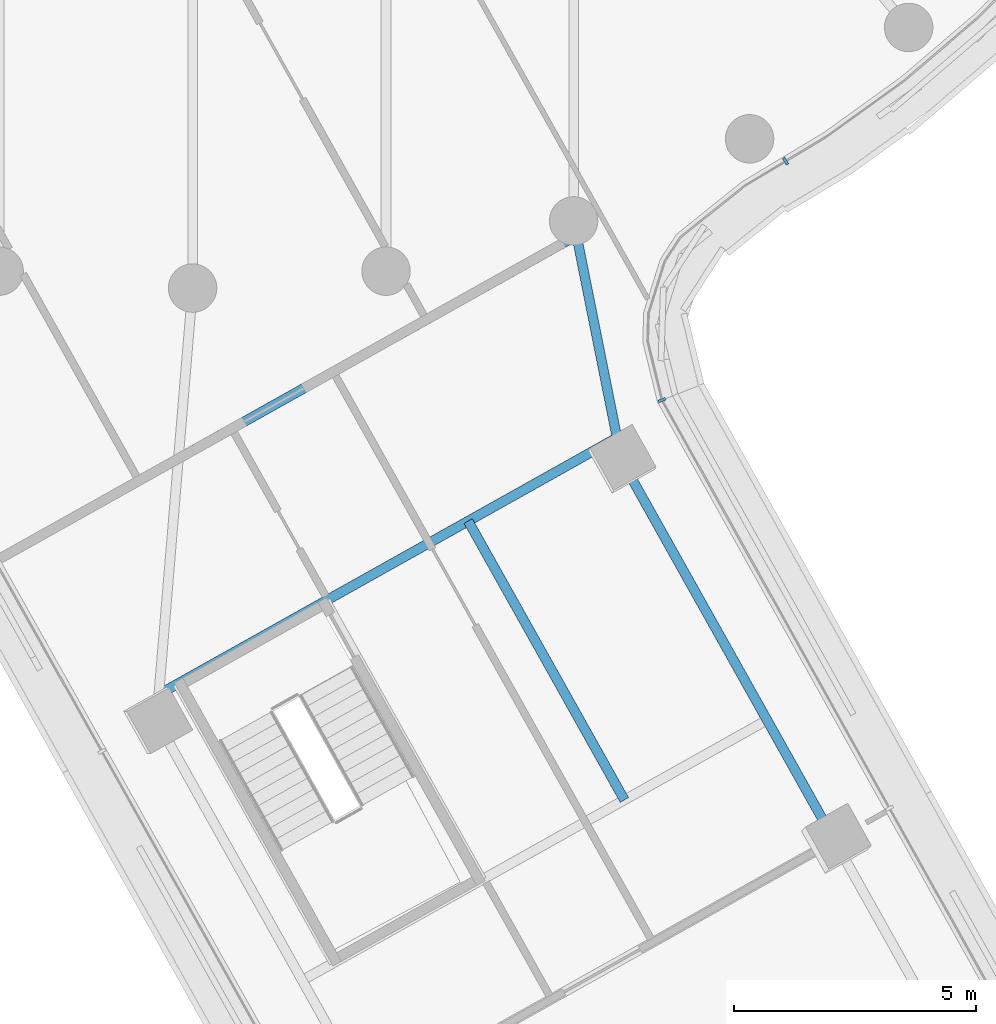
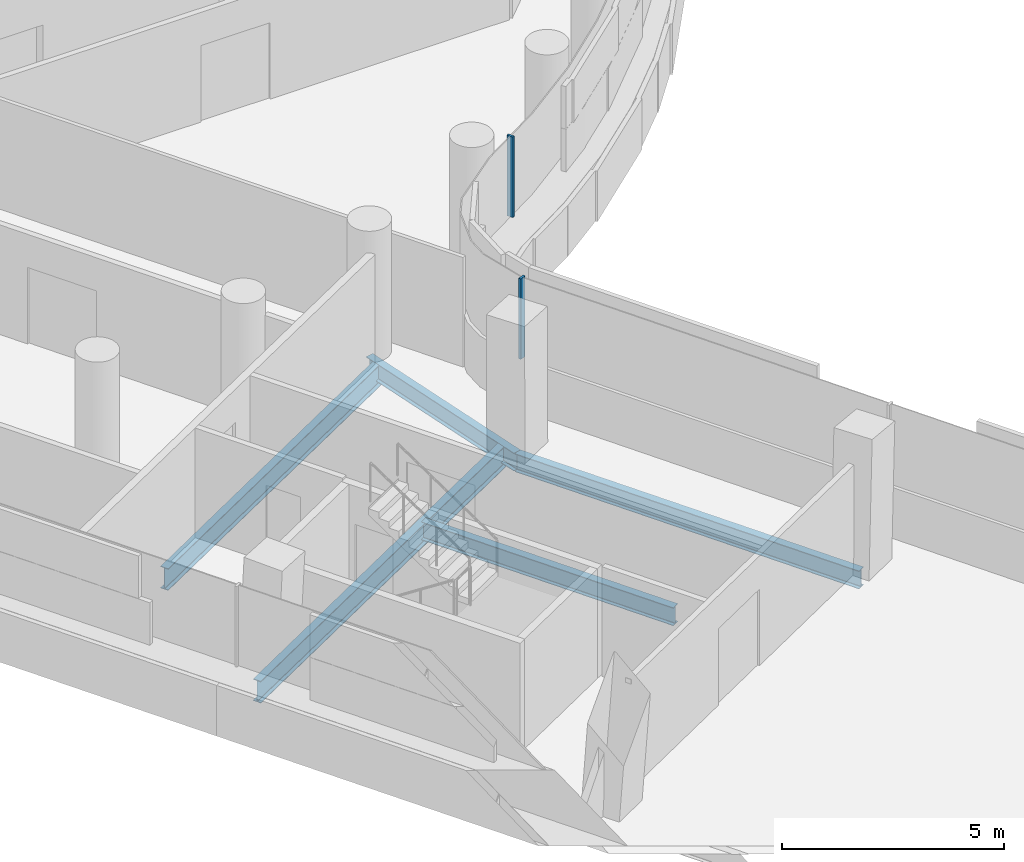
# One storey, part 6 of 34: 5 beams, 2 members, 1 element without a shape of its own.
"""IFC4 building model written with IfcOpenShell, lengths in metres."""

from ifc_helpers import new_model, si_unit, direction, frame, origin, origin_2d, place, context, subcontext, project, spatial, rectangle, i_section, extrude, material, layer, layer_set, material_profile, profile_set, type_object, element, aggregate, save


model = new_model("IFC4")

# Units and contexts
model_context = context("Model", 3, precision=1e-05, world=origin(), true_north=direction((0.0, 1.0)))
body_context = subcontext(model_context, "Body", "Model", "MODEL_VIEW")
ifc_project = project(units=[si_unit("LENGTHUNIT", "METRE"), si_unit("AREAUNIT", "SQUARE_METRE"), si_unit("VOLUMEUNIT", "CUBIC_METRE"), si_unit("PLANEANGLEUNIT", "RADIAN"), si_unit("MASSUNIT", "GRAM", prefix="KILO")], contexts=[model_context])

# Site, building, storey
site_placement = place(None, origin())
site = spatial("IfcSite", under=ifc_project, at=site_placement, CompositionType="ELEMENT")
building_placement = place(site_placement, origin())
building = spatial("IfcBuilding", under=site, at=building_placement, Name="Tamarind Cross Interchange Tower", CompositionType="ELEMENT")
storey_placement = place(building_placement, frame((0.0, 0.0, 140.5)))
storey = spatial("IfcBuildingStorey", under=building, at=storey_placement, Name="L34", CompositionType="ELEMENT", Elevation=140.5)

# Beams
ifc_material_1 = material(Name="Steel Q355B", Category="steel")
ifc_material_profile_1 = material_profile(ifc_material_1, i_section(OverallWidth=0.198974609375, OverallDepth=0.49609375, WebThickness=0.009033203125, FlangeThickness=0.013916015625, FilletRadius=0.012939453125, at=origin_2d()), Name="HN 496x199x9x14")
ifc_profile_set_1 = profile_set([ifc_material_profile_1], Name="Steel Q355B")
beam_type_1 = type_object("IfcBeamType", Name="Composite beam HN 496x199x9x14 Q355B", PredefinedType="BEAM", material=ifc_profile_set_1)
beam_1_placement = place(storey_placement, frame((13.2529296875, -34.40576171875, -0.387939453125), z_axis=(-0.488691751996, 0.872456515553, 0.0), x_axis=(-0.872456515553, -0.488691751996, 0.0)))
element("IfcBeam", 1, at=beam_1_placement, inside=storey, type_object=beam_type_1, Name="Beam S-edgeep3", PredefinedType="BEAM", context=body_context, shape_type="SweptSolid", body=[
    extrude(i_section(OverallWidth=0.198974609375, OverallDepth=0.49609375, WebThickness=0.009033203125, FlangeThickness=0.013916015625, FilletRadius=0.012939453125, at=origin_2d()), origin(), (0.0, 0.0, 1.0), 9.0),
])
beam_2_placement = place(storey_placement, frame((8.854736328125, -26.5537109375, -0.387939453125), z_axis=(-0.196144089617, 0.980575084381, 0.0), x_axis=(-0.980575084381, -0.196144089617, 0.0)))
element("IfcBeam", 2, at=beam_2_placement, inside=storey, type_object=beam_type_1, Name="Beam S-linkep", PredefinedType="BEAM", context=body_context, shape_type="SweptSolid", body=[
    extrude(i_section(OverallWidth=0.198974609375, OverallDepth=0.49609375, WebThickness=0.009033203125, FlangeThickness=0.013916015625, FilletRadius=0.012939453125, at=origin_2d()), origin(), (0.0, 0.0, 1.0), 5.03857421875),
])
beam_3_placement = place(storey_placement, frame((5.690185546875, -27.810302734375, -0.387939453125), z_axis=(0.488683340552, -0.872461227028, 0.0), x_axis=(0.872461227028, 0.488683340552, 0.0)))
element("IfcBeam", 3, at=beam_3_placement, inside=storey, type_object=beam_type_1, Name="Beam S-stripp", PredefinedType="BEAM", context=body_context, shape_type="SweptSolid", body=[
    extrude(i_section(OverallWidth=0.198974609375, OverallDepth=0.49609375, WebThickness=0.009033203125, FlangeThickness=0.013916015625, FilletRadius=0.012939453125, at=origin_2d()), origin(), (0.0, 0.0, 1.0), 6.60009765625),
])
ifc_material_profile_2 = material_profile(ifc_material_1, i_section(OverallWidth=0.199951171875, OverallDepth=0.60009765625, WebThickness=0.010986328125, FlangeThickness=0.01708984375, FilletRadius=0.012939453125, at=origin_2d()), Name="HN 600x200x11x17")
ifc_profile_set_2 = profile_set([ifc_material_profile_2], Name="Steel Q355B")
beam_type_2 = type_object("IfcBeamType", Name="Composite beam HN 600x200x11x17 Q355B", PredefinedType="BEAM", material=ifc_profile_set_2)
beam_4_placement = place(storey_placement, frame((-0.697509765625, -31.38818359375, -0.43994140625), z_axis=(0.87246531127, 0.488676048758, 0.0), x_axis=(-0.488676048758, 0.87246531127, 0.0)))
element("IfcBeam", 4, at=beam_4_placement, inside=storey, type_object=beam_type_2, Name="Beam S-x298", PredefinedType="BEAM", context=body_context, shape_type="SweptSolid", body=[
    extrude(i_section(OverallWidth=0.199951171875, OverallDepth=0.60009765625, WebThickness=0.010986328125, FlangeThickness=0.01708984375, FilletRadius=0.012939453125, at=origin_2d()), origin(), (0.0, 0.0, 1.0), 10.84228515625),
])
beam_5_placement = place(storey_placement, frame((-0.292724609375, -26.51953125, -0.43994140625), z_axis=(0.872451658737, 0.48870042272, 0.0), x_axis=(-0.48870042272, 0.872451658737, 0.0)))
element("IfcBeam", 5, at=beam_5_placement, inside=storey, type_object=beam_type_2, Name="Beam S-x258", PredefinedType="BEAM", context=body_context, shape_type="SweptSolid", body=[
    extrude(i_section(OverallWidth=0.199951171875, OverallDepth=0.60009765625, WebThickness=0.010986328125, FlangeThickness=0.01708984375, FilletRadius=0.012939453125, at=origin_2d()), origin(), (0.0, 0.0, 1.0), 9.42138671875),
])

# Curtain wall, members
ifc_material_2 = material(Name="Aluminium 6063-T6", Category="aluminium")
ifc_layer = layer(ifc_material_2, 0.159912109375)
ifc_layer_set = layer_set([ifc_layer], Name="Aluminium 6063-T6")
curtain_wall_type = type_object("IfcCurtainWallType", Name="Office curtain wall, 9.0 m bays", PredefinedType="NOTDEFINED", material=ifc_layer_set)
curtain_wall_placement = place(storey_placement, origin())
curtain_wall = element("IfcCurtainWall", 6, at=curtain_wall_placement, inside=storey, type_object=curtain_wall_type, Name="CWS-L34-06", PredefinedType="NOTDEFINED")
ifc_material_profile_3 = material_profile(ifc_material_2, rectangle(XDim=0.06005859375, YDim=0.159912109375, at=origin_2d()), Name="Mullion CW1")
ifc_profile_set_3 = profile_set([ifc_material_profile_3], Name="Aluminium 6063-T6")
member_type = type_object("IfcMemberType", Name="Mullion CW1", PredefinedType="MULLION", material=ifc_profile_set_3)
member_1_placement = place(storey_placement, frame((9.69189453125, -25.313720703125, 1.39990234375), z_axis=(0.0, 0.0, 1.0), x_axis=(-0.365354118861, 0.930868609327, 0.0)))
member_1 = element("IfcMember", 7, at=member_1_placement, type_object=member_type, Name="CWM-L34-06-00", PredefinedType="MULLION", context=body_context, shape_type="SweptSolid", body=[
    extrude(rectangle(XDim=0.06005859375, YDim=0.159912109375, at=origin_2d()), origin(), (0.0, 0.0, 1.0), 2.210205078125),
])
member_2_placement = place(storey_placement, frame((12.243408203125, -20.380615234375, 1.39990234375), z_axis=(0.0, 0.0, 1.0), x_axis=(0.856843065292, 0.515577308909, 0.0)))
member_2 = element("IfcMember", 8, at=member_2_placement, type_object=member_type, Name="CWM-L34-06-01", PredefinedType="MULLION", context=body_context, shape_type="SweptSolid", body=[
    extrude(rectangle(XDim=0.06005859375, YDim=0.159912109375, at=origin_2d()), origin(), (0.0, 0.0, 1.0), 2.210205078125),
])
aggregate(curtain_wall, [member_1, member_2])

save(model, "model.ifc")
